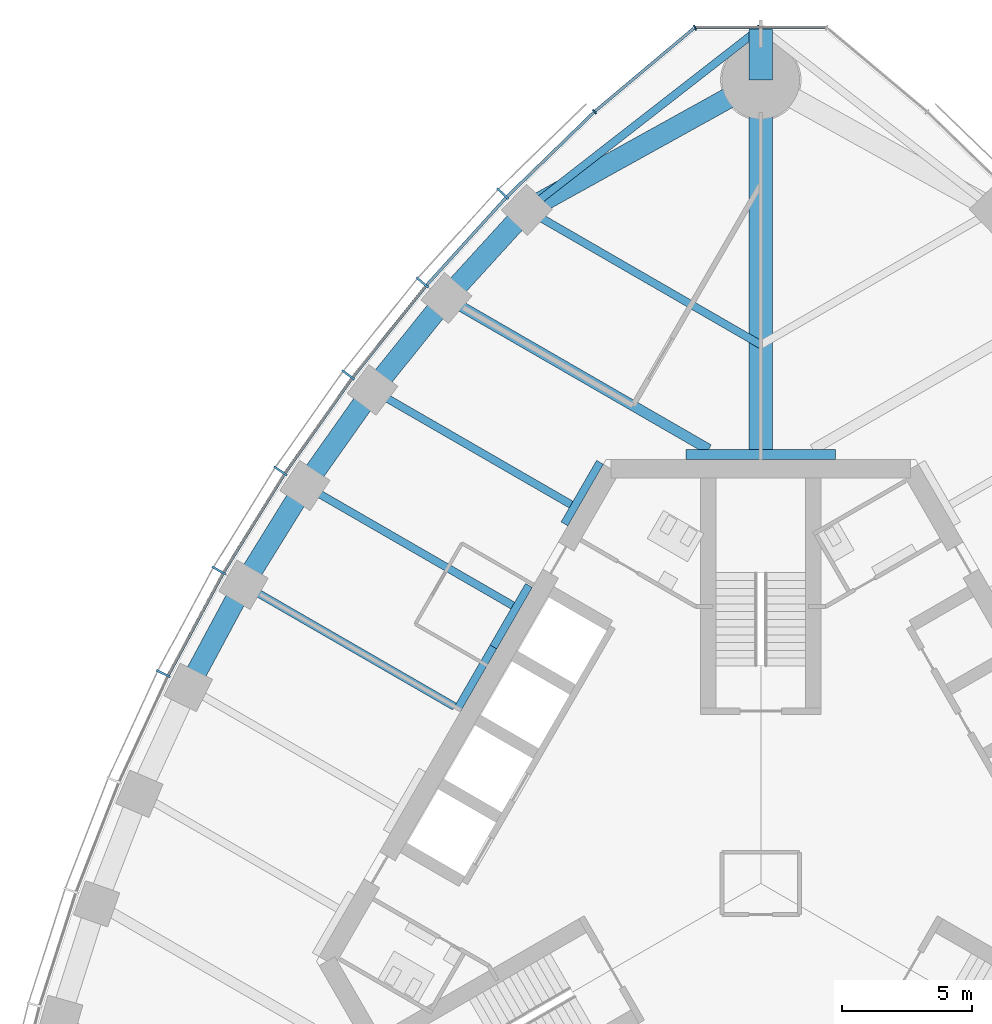
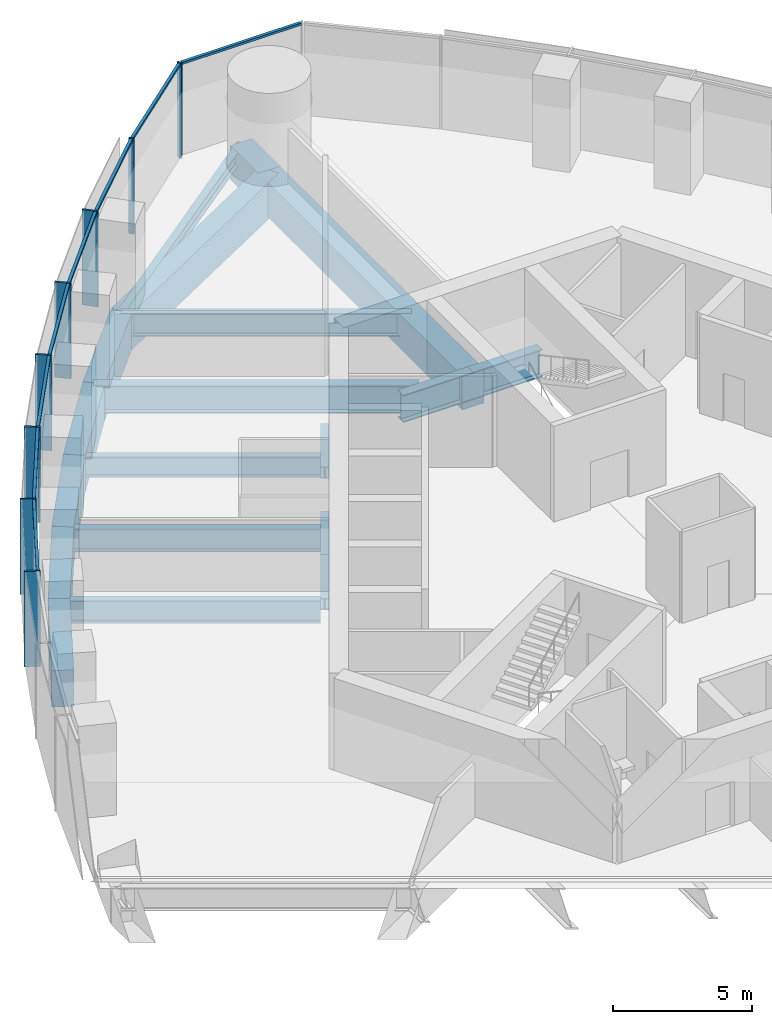
# One storey, part 5 of 15: 19 beams, 16 members, 2 elements without a shape of their own.
"""IFC4 building model written with IfcOpenShell, lengths in metres."""

from ifc_helpers import new_model, si_unit, direction, frame, origin, origin_2d, place, context, subcontext, project, spatial, rectangle, i_section, extrude, material, material_profile, profile_set, type_object, element, aggregate, save


model = new_model("IFC4")

# Units and contexts
model_context = context("Model", 3, precision=1e-05, world=origin(), true_north=direction((0.0, 1.0)))
body_context = subcontext(model_context, "Body", "Model", "MODEL_VIEW")
ifc_project = project(units=[si_unit("LENGTHUNIT", "METRE"), si_unit("AREAUNIT", "SQUARE_METRE"), si_unit("VOLUMEUNIT", "CUBIC_METRE"), si_unit("PLANEANGLEUNIT", "RADIAN"), si_unit("MASSUNIT", "GRAM", prefix="KILO")], contexts=[model_context])

# Site, building, storey
site_placement = place(None, origin())
site = spatial("IfcSite", under=ifc_project, at=site_placement, CompositionType="ELEMENT")
building_placement = place(site_placement, origin())
building = spatial("IfcBuilding", under=site, at=building_placement, Name="Trefoil Bronze Tower", CompositionType="ELEMENT")
storey_placement = place(building_placement, frame((0.0, 0.0, 288.89990234375)))
storey = spatial("IfcBuildingStorey", under=building, at=storey_placement, Name="L66", CompositionType="ELEMENT", Elevation=288.89990234375)

# Curtain wall, members
ifc_material_1 = material(Name="Tinted solar-control glass", Category="glass")
curtain_wall_type_1 = type_object("IfcCurtainWallType", Name="Bronze office curtain wall", PredefinedType="USERDEFINED", material=ifc_material_1)
curtain_wall_1_placement = place(storey_placement, origin())
curtain_wall_1 = element("IfcCurtainWall", 1, at=curtain_wall_1_placement, inside=storey, type_object=curtain_wall_type_1, Name="CW-A L66 F3", ObjectType="CURTAIN WALL", PredefinedType="USERDEFINED")
ifc_material_2 = material(Name="Bronze-finish aluminium", Category="aluminium")
ifc_material_profile_1 = material_profile(ifc_material_2, rectangle(XDim=0.60009765625, YDim=0.080078125, at=origin_2d()), Name="CW-A mullion")
ifc_profile_set_1 = profile_set([ifc_material_profile_1], Name="Bronze-finish aluminium")
member_type_1 = type_object("IfcMemberType", Name="Bronze office curtain wall mullion", PredefinedType="MULLION", material=ifc_profile_set_1)
member_1_placement = place(storey_placement, frame((-9.957275390625, 26.617431640625, 0.0), z_axis=(0.0, 0.0, 1.0), x_axis=(0.719001349715, -0.695008675564, 0.0)))
member_1 = element("IfcMember", 2, at=member_1_placement, type_object=member_type_1, Name="CW-A L66 F3 mullion 2", PredefinedType="MULLION", context=body_context, shape_type="SweptSolid", body=[
    extrude(rectangle(XDim=0.60009765625, YDim=0.080078125, at=origin_2d()), origin(), (0.0, 0.0, 1.0), 4.18017578125),
])
member_2_placement = place(storey_placement, frame((-13.064453125, 23.194091796875, 0.0), z_axis=(0.0, 0.0, 1.0), x_axis=(0.760781190165, -0.649008459646, 0.0)))
member_2 = element("IfcMember", 3, at=member_2_placement, type_object=member_type_1, Name="CW-A L66 F3 mullion 3", PredefinedType="MULLION", context=body_context, shape_type="SweptSolid", body=[
    extrude(rectangle(XDim=0.60009765625, YDim=0.080078125, at=origin_2d()), origin(), (0.0, 0.0, 1.0), 4.18017578125),
])
member_3_placement = place(storey_placement, frame((-15.922607421875, 19.627197265625, 0.0), z_axis=(0.0, 0.0, 1.0), x_axis=(0.799096076136, -0.601203344222, 0.0)))
member_3 = element("IfcMember", 4, at=member_3_placement, type_object=member_type_1, Name="CW-A L66 F3 mullion 4", PredefinedType="MULLION", context=body_context, shape_type="SweptSolid", body=[
    extrude(rectangle(XDim=0.60009765625, YDim=0.080078125, at=origin_2d()), origin(), (0.0, 0.0, 1.0), 4.18017578125),
])
member_4_placement = place(storey_placement, frame((-18.538330078125, 15.920166015625, 0.0), z_axis=(0.0, 0.0, 1.0), x_axis=(0.834159158089, -0.551523797289, 0.0)))
member_4 = element("IfcMember", 5, at=member_4_placement, type_object=member_type_1, Name="CW-A L66 F3 mullion 5", PredefinedType="MULLION", context=body_context, shape_type="SweptSolid", body=[
    extrude(rectangle(XDim=0.60009765625, YDim=0.080078125, at=origin_2d()), origin(), (0.0, 0.0, 1.0), 4.18017578125),
])
member_5_placement = place(storey_placement, frame((-20.916015625, 12.07568359375, 0.0), z_axis=(0.0, 0.0, 1.0), x_axis=(0.866025403784, -0.5, 0.0)))
member_5 = element("IfcMember", 6, at=member_5_placement, type_object=member_type_1, Name="CW-A L66 F3 mullion 6", PredefinedType="MULLION", context=body_context, shape_type="SweptSolid", body=[
    extrude(rectangle(XDim=0.60009765625, YDim=0.080078125, at=origin_2d()), origin(), (0.0, 0.0, 1.0), 4.18017578125),
])
member_6_placement = place(storey_placement, frame((-23.056396484375, 8.094482421875, 0.0), z_axis=(0.0, 0.0, 1.0), x_axis=(0.894713198289, -0.44664112306, 0.0)))
member_6 = element("IfcMember", 7, at=member_6_placement, type_object=member_type_1, Name="CW-A L66 F3 mullion 7", PredefinedType="MULLION", context=body_context, shape_type="SweptSolid", body=[
    extrude(rectangle(XDim=0.60009765625, YDim=0.080078125, at=origin_2d()), origin(), (0.0, 0.0, 1.0), 4.18017578125),
])
ifc_material_3 = material(Name="Bronze-finish aluminium", Category="aluminium")
ifc_material_profile_2 = material_profile(ifc_material_3, rectangle(XDim=0.1201171875, YDim=0.10009765625, at=origin_2d()), Name="CW-A transom")
ifc_profile_set_2 = profile_set([ifc_material_profile_2], Name="Bronze-finish aluminium")
member_type_2 = type_object("IfcMemberType", Name="Bronze office curtain wall transom", PredefinedType="USERDEFINED", material=ifc_profile_set_2)
member_7_placement = place(storey_placement, frame((-6.44921875, 29.7470703125, 4.130126953125), z_axis=(-0.717224617883, -0.696842053484, 0.0), x_axis=(0.696842053484, -0.717224617883, 0.0)))
member_7 = element("IfcMember", 8, at=member_7_placement, type_object=member_type_2, Name="CW-A L66 F3 transom 1", ObjectType="TRANSOM", PredefinedType="USERDEFINED", context=body_context, shape_type="SweptSolid", body=[
    extrude(rectangle(XDim=0.1201171875, YDim=0.10009765625, at=origin_2d()), origin(), (0.0, 0.0, 1.0), 4.6474609375),
])
member_8_placement = place(storey_placement, frame((-9.842529296875, 26.446533203125, 4.130126953125), z_axis=(-0.672068269674, -0.740489190264, 0.0), x_axis=(0.740489190264, -0.672068269674, 0.0)))
member_8 = element("IfcMember", 9, at=member_8_placement, type_object=member_type_2, Name="CW-A L66 F3 transom 2", ObjectType="TRANSOM", PredefinedType="USERDEFINED", context=body_context, shape_type="SweptSolid", body=[
    extrude(rectangle(XDim=0.1201171875, YDim=0.10009765625, at=origin_2d()), origin(), (0.0, 0.0, 1.0), 4.5244140625),
])
member_9_placement = place(storey_placement, frame((-12.939208984375, 23.03076171875, 4.130126953125), z_axis=(-0.625300648488, -0.780383943325, 0.0), x_axis=(0.780383943325, -0.625300648488, 0.0)))
member_9 = element("IfcMember", 10, at=member_9_placement, type_object=member_type_2, Name="CW-A L66 F3 transom 3", ObjectType="TRANSOM", PredefinedType="USERDEFINED", context=body_context, shape_type="SweptSolid", body=[
    extrude(rectangle(XDim=0.1201171875, YDim=0.10009765625, at=origin_2d()), origin(), (0.0, 0.0, 1.0), 4.472412109375),
])
member_10_placement = place(storey_placement, frame((-15.78759765625, 19.4716796875, 4.130126953125), z_axis=(-0.5765665752, -0.817050172488, 0.0), x_axis=(0.817050172488, -0.5765665752, 0.0)))
member_10 = element("IfcMember", 11, at=member_10_placement, type_object=member_type_2, Name="CW-A L66 F3 transom 4", ObjectType="TRANSOM", PredefinedType="USERDEFINED", context=body_context, shape_type="SweptSolid", body=[
    extrude(rectangle(XDim=0.1201171875, YDim=0.10009765625, at=origin_2d()), origin(), (0.0, 0.0, 1.0), 4.4384765625),
])
member_11_placement = place(storey_placement, frame((-18.394287109375, 15.7734375, 4.130126953125), z_axis=(-0.525978235299, -0.850498028212, 0.0), x_axis=(0.850498028212, -0.525978235299, 0.0)))
member_11 = element("IfcMember", 12, at=member_11_placement, type_object=member_type_2, Name="CW-A L66 F3 transom 5", ObjectType="TRANSOM", PredefinedType="USERDEFINED", context=body_context, shape_type="SweptSolid", body=[
    extrude(rectangle(XDim=0.1201171875, YDim=0.10009765625, at=origin_2d()), origin(), (0.0, 0.0, 1.0), 4.422119140625),
])
member_12_placement = place(storey_placement, frame((-20.76318359375, 11.93798828125, 4.130126953125), z_axis=(-0.473540024981, -0.880772300167, 0.0), x_axis=(0.880772300167, -0.473540024981, 0.0)))
member_12 = element("IfcMember", 13, at=member_12_placement, type_object=member_type_2, Name="CW-A L66 F3 transom 6", ObjectType="TRANSOM", PredefinedType="USERDEFINED", context=body_context, shape_type="SweptSolid", body=[
    extrude(rectangle(XDim=0.1201171875, YDim=0.10009765625, at=origin_2d()), origin(), (0.0, 0.0, 1.0), 4.422119140625),
])
aggregate(curtain_wall_1, [member_1, member_2, member_3, member_4, member_5, member_6, member_7, member_8, member_9, member_10, member_11, member_12])

ifc_material_4 = material(Name="Tinted solar-control glass", Category="glass")
curtain_wall_type_2 = type_object("IfcCurtainWallType", Name="Bronze rounded corner curtain wall", PredefinedType="USERDEFINED", material=ifc_material_4)
curtain_wall_2_placement = place(storey_placement, origin())
curtain_wall_2 = element("IfcCurtainWall", 14, at=curtain_wall_2_placement, inside=storey, type_object=curtain_wall_type_2, Name="CW-B L66 K2", ObjectType="CURTAIN WALL", PredefinedType="USERDEFINED")
ifc_material_5 = material(Name="Bronze-finish aluminium", Category="aluminium")
ifc_material_profile_3 = material_profile(ifc_material_5, rectangle(XDim=0.199951171875, YDim=0.06005859375, at=origin_2d()), Name="CW-B mullion")
ifc_profile_set_3 = profile_set([ifc_material_profile_3], Name="Bronze-finish aluminium")
member_type_3 = type_object("IfcMemberType", Name="Bronze rounded corner curtain wall mullion", PredefinedType="MULLION", material=ifc_profile_set_3)
member_13_placement = place(storey_placement, frame((-2.542236328125, 33.021484375, 0.0), z_axis=(0.0, 0.0, 1.0), x_axis=(0.342020143326, -0.939692620786, 0.0)))
member_13 = element("IfcMember", 15, at=member_13_placement, type_object=member_type_3, Name="CW-B L66 K2 mullion 3", PredefinedType="MULLION", context=body_context, shape_type="SweptSolid", body=[
    extrude(rectangle(XDim=0.199951171875, YDim=0.06005859375, at=origin_2d()), origin(), (0.0, 0.0, 1.0), 4.18017578125),
])
member_14_placement = place(storey_placement, frame((-6.4150390625, 29.77978515625, 0.0), z_axis=(0.0, 0.0, 1.0), x_axis=(0.642787609687, -0.766044443119, 0.0)))
member_14 = element("IfcMember", 16, at=member_14_placement, type_object=member_type_3, Name="CW-B L66 K2 mullion 4", PredefinedType="MULLION", context=body_context, shape_type="SweptSolid", body=[
    extrude(rectangle(XDim=0.199951171875, YDim=0.06005859375, at=origin_2d()), origin(), (0.0, 0.0, 1.0), 4.18017578125),
])
ifc_material_6 = material(Name="Bronze-finish aluminium", Category="aluminium")
ifc_material_profile_4 = material_profile(ifc_material_6, rectangle(XDim=0.1201171875, YDim=0.10009765625, at=origin_2d()), Name="CW-B transom")
ifc_profile_set_4 = profile_set([ifc_material_profile_4], Name="Bronze-finish aluminium")
member_type_4 = type_object("IfcMemberType", Name="Bronze rounded corner curtain wall transom", PredefinedType="USERDEFINED", material=ifc_profile_set_4)
member_15_placement = place(storey_placement, frame((2.47802734375, 33.027587890625, 4.130126953125), z_axis=(-1.0, 0.0, 0.0), x_axis=(0.0, -1.0, 0.0)))
member_15 = element("IfcMember", 17, at=member_15_placement, type_object=member_type_4, Name="CW-B L66 K2 transom 2", ObjectType="TRANSOM", PredefinedType="USERDEFINED", context=body_context, shape_type="SweptSolid", body=[
    extrude(rectangle(XDim=0.1201171875, YDim=0.10009765625, at=origin_2d()), origin(), (0.0, 0.0, 1.0), 4.9560546875),
])
member_16_placement = place(storey_placement, frame((-2.595458984375, 32.98486328125, 4.130126953125), z_axis=(-0.766040522511, -0.642792282056, 0.0), x_axis=(0.642792282056, -0.766040522511, 0.0)))
member_16 = element("IfcMember", 18, at=member_16_placement, type_object=member_type_4, Name="CW-B L66 K2 transom 3", ObjectType="TRANSOM", PredefinedType="USERDEFINED", context=body_context, shape_type="SweptSolid", body=[
    extrude(rectangle(XDim=0.1201171875, YDim=0.10009765625, at=origin_2d()), origin(), (0.0, 0.0, 1.0), 4.9560546875),
])
aggregate(curtain_wall_2, [member_13, member_14, member_15, member_16])

# Beams
ifc_material_7 = material(Name="Steel C355", Category="steel")
ifc_material_profile_5 = material_profile(ifc_material_7, i_section(OverallWidth=0.300048828125, OverallDepth=0.5, WebThickness=0.014404296875, FlangeThickness=0.028076171875, FilletRadius=0.027099609375, at=origin_2d()), Name="HEB 500")
ifc_profile_set_5 = profile_set([ifc_material_profile_5], Name="Steel C355")
beam_type_1 = type_object("IfcBeamType", Name="Core seat beam HEB 500", PredefinedType="BEAM", material=ifc_profile_set_5)
for number, where, z_axis, x_axis, name in (
    (19, (-6.20654296875, 16.25, -0.449951171875), (-0.499969057507, -0.866043267704, 0.0), (0.866043267704, -0.499969057507, 0.0), "Core seat beam F3/-2 L66"),
    (20, (-8.948974609375, 11.5, -0.449951171875), (-0.499969057507, -0.866043267704, 0.0), (0.866043267704, -0.499969057507, 0.0), "Core seat beam F3/-1 L66"),
    (21, (-10.320068359375, 9.125, -0.449951171875), (-0.500035825175, -0.866004719122, 0.0), (0.866004719122, -0.500035825175, 0.0), "Core seat beam F3/+0 L66"),
):
    element("IfcBeam", number, at=place(storey_placement, frame(where, z_axis=z_axis, x_axis=x_axis)), inside=storey, type_object=beam_type_1, Name=name, PredefinedType="BEAM", context=body_context, shape_type="SweptSolid", body=[
        extrude(i_section(OverallWidth=0.300048828125, OverallDepth=0.5, WebThickness=0.014404296875, FlangeThickness=0.028076171875, FilletRadius=0.027099609375, at=origin_2d()), origin(), (0.0, 0.0, 1.0), 2.742431640625),
    ])
ifc_material_8 = material(Name="Steel C355", Category="steel")
ifc_material_profile_6 = material_profile(ifc_material_8, i_section(OverallWidth=0.39990234375, OverallDepth=1.199951171875, WebThickness=0.02001953125, FlangeThickness=0.0400390625, FilletRadius=0.010009765625, at=origin_2d()), Name="WPG 1200")
ifc_profile_set_6 = profile_set([ifc_material_profile_6], Name="Steel C355")
beam_type_2 = type_object("IfcBeamType", Name="Core seat beam WPG 1200", PredefinedType="BEAM", material=ifc_profile_set_6)
for number, where, z_axis, x_axis, name in (
    (22, (2.88671875, 16.550048828125, -0.7998046875), (-1.0, 0.0, 0.0), (0.0, -1.0, 0.0), "Core seat beam F2/+3 L66"),
    (23, (0.0, 16.550048828125, -0.7998046875), (-1.0, 0.0, 0.0), (0.0, -1.0, 0.0), "Core seat beam F3/-3 L66"),
):
    element("IfcBeam", number, at=place(storey_placement, frame(where, z_axis=z_axis, x_axis=x_axis)), inside=storey, type_object=beam_type_2, Name=name, PredefinedType="BEAM", context=body_context, shape_type="SweptSolid", body=[
        extrude(i_section(OverallWidth=0.39990234375, OverallDepth=1.199951171875, WebThickness=0.02001953125, FlangeThickness=0.0400390625, FilletRadius=0.010009765625, at=origin_2d()), origin(), (0.0, 0.0, 1.0), 2.88671875),
    ])
ifc_material_9 = material(Name="Concrete B80", Category="concrete")
ifc_material_profile_7 = material_profile(ifc_material_9, rectangle(XDim=0.89990234375, YDim=1.5, at=origin_2d()), Name="RC 900x1500")
ifc_profile_set_7 = profile_set([ifc_material_profile_7], Name="Concrete B80")
beam_type_3 = type_object("IfcBeamType", Name="Corner cantilever RC 900x1500", PredefinedType="BEAM", material=ifc_profile_set_7)
beam_1_placement = place(storey_placement, frame((0.0, 31.0, -0.949951171875), z_axis=(0.0, 1.0, 0.0), x_axis=(-1.0, 0.0, 0.0)))
element("IfcBeam", 24, at=beam_1_placement, inside=storey, type_object=beam_type_3, Name="Corner cantilever K2 L66", PredefinedType="BEAM", context=body_context, shape_type="SweptSolid", body=[
    extrude(rectangle(XDim=0.89990234375, YDim=1.5, at=origin_2d()), origin(), (0.0, 0.0, 1.0), 2.019775390625),
])
ifc_material_10 = material(Name="Steel C355", Category="steel")
ifc_material_profile_8 = material_profile(ifc_material_10, i_section(OverallWidth=0.300048828125, OverallDepth=0.60009765625, WebThickness=0.015380859375, FlangeThickness=0.030029296875, FilletRadius=0.027099609375, at=origin_2d()), Name="HEB 600")
ifc_profile_set_8 = profile_set([ifc_material_profile_8], Name="Steel C355")
beam_type_4 = type_object("IfcBeamType", Name="Corner edge beam HEB 600", PredefinedType="BEAM", material=ifc_profile_set_8)
beam_2_placement = place(storey_placement, frame((-9.02734375, 25.99658203125, -0.5), z_axis=(0.789270604977, 0.614045529354, 0.0), x_axis=(-0.614045529354, 0.789270604977, 0.0)))
element("IfcBeam", 25, at=beam_2_placement, inside=storey, type_object=beam_type_4, Name="Corner edge beam F3B L66", PredefinedType="BEAM", context=body_context, shape_type="SweptSolid", body=[
    extrude(i_section(OverallWidth=0.300048828125, OverallDepth=0.60009765625, WebThickness=0.015380859375, FlangeThickness=0.030029296875, FilletRadius=0.027099609375, at=origin_2d()), origin(), (0.0, 0.0, 1.0), 11.4375),
])
ifc_material_11 = material(Name="Concrete B80", Category="concrete")
ifc_material_profile_9 = material_profile(ifc_material_11, rectangle(XDim=0.89990234375, YDim=1.5, at=origin_2d()), Name="RC 900x1500")
ifc_profile_set_9 = profile_set([ifc_material_profile_9], Name="Concrete B80")
beam_type_5 = type_object("IfcBeamType", Name="Corner girder RC 900x1500", PredefinedType="BEAM", material=ifc_profile_set_9)
beam_3_placement = place(storey_placement, frame((0.0, 16.35009765625, -0.949951171875), z_axis=(0.0, 1.0, 0.0), x_axis=(-1.0, 0.0, 0.0)))
element("IfcBeam", 26, at=beam_3_placement, inside=storey, type_object=beam_type_5, Name="Corner girder K2 L66", PredefinedType="BEAM", context=body_context, shape_type="SweptSolid", body=[
    extrude(rectangle(XDim=0.89990234375, YDim=1.5, at=origin_2d()), origin(), (0.0, 0.0, 1.0), 14.64990234375),
])
ifc_material_12 = material(Name="Concrete B80", Category="concrete")
ifc_material_profile_10 = material_profile(ifc_material_12, rectangle(XDim=0.800048828125, YDim=1.60009765625, at=origin_2d()), Name="RC 800x1600")
ifc_profile_set_10 = profile_set([ifc_material_profile_10], Name="Concrete B80")
beam_type_6 = type_object("IfcBeamType", Name="End spandrel beam RC 800x1600", PredefinedType="SPANDREL", material=ifc_profile_set_10)
beam_4_placement = place(storey_placement, frame((0.0, 31.0, -1.0), z_axis=(-0.874641085074, -0.484771051426, 0.0), x_axis=(0.484771051426, -0.874641085074, 0.0)))
element("IfcBeam", 27, at=beam_4_placement, inside=storey, type_object=beam_type_6, Name="Spandrel F3.1 L66", PredefinedType="SPANDREL", context=body_context, shape_type="SweptSolid", body=[
    extrude(rectangle(XDim=0.800048828125, YDim=1.60009765625, at=origin_2d()), origin(), (0.0, 0.0, 1.0), 10.3212890625),
])
ifc_material_13 = material(Name="Steel C355", Category="steel")
ifc_material_profile_11 = material_profile(ifc_material_13, i_section(OverallWidth=0.300048828125, OverallDepth=1.0, WebThickness=0.01904296875, FlangeThickness=0.035888671875, FilletRadius=0.030029296875, at=origin_2d()), Name="HEB 1000")
ifc_profile_set_11 = profile_set([ifc_material_profile_11], Name="Steel C355")
beam_type_7 = type_object("IfcBeamType", Name="Floor beam HEB 1000", PredefinedType="BEAM", material=ifc_profile_set_11)
beam_5_placement = place(storey_placement, frame((-17.593994140625, 15.35400390625, -0.699951171875), z_axis=(0.866028909405, -0.499993928037, 0.0), x_axis=(0.499993928037, 0.866028909405, 0.0)))
element("IfcBeam", 28, at=beam_5_placement, inside=storey, type_object=beam_type_7, Name="Floor beam F3/-1 L66", PredefinedType="BEAM", context=body_context, shape_type="SweptSolid", body=[
    extrude(i_section(OverallWidth=0.300048828125, OverallDepth=1.0, WebThickness=0.01904296875, FlangeThickness=0.035888671875, FilletRadius=0.030029296875, at=origin_2d()), origin(), (0.0, 0.0, 1.0), 9.263671875),
])
beam_6_placement = place(storey_placement, frame((-19.96337890625, 11.52587890625, -0.699951171875), z_axis=(0.866021259968, -0.500007177232, 0.0), x_axis=(0.500007177232, 0.866021259968, 0.0)))
element("IfcBeam", 29, at=beam_6_placement, inside=storey, type_object=beam_type_7, Name="Floor beam F3/+0 L66", PredefinedType="BEAM", context=body_context, shape_type="SweptSolid", body=[
    extrude(i_section(OverallWidth=0.300048828125, OverallDepth=1.0, WebThickness=0.01904296875, FlangeThickness=0.035888671875, FilletRadius=0.030029296875, at=origin_2d()), origin(), (0.0, 0.0, 1.0), 9.401611328125),
])
ifc_material_14 = material(Name="Steel C355", Category="steel")
ifc_material_profile_12 = material_profile(ifc_material_14, i_section(OverallWidth=0.300048828125, OverallDepth=0.89990234375, WebThickness=0.0185546875, FlangeThickness=0.034912109375, FilletRadius=0.030029296875, at=origin_2d()), Name="HEB 900")
ifc_profile_set_12 = profile_set([ifc_material_profile_12], Name="Steel C355")
beam_type_8 = type_object("IfcBeamType", Name="Floor beam HEB 900", PredefinedType="BEAM", material=ifc_profile_set_12)
beam_7_placement = place(storey_placement, frame((-14.98486328125, 19.043701171875, -0.64990234375), z_axis=(0.866025701847, -0.499999483739, 0.0), x_axis=(0.499999483739, 0.866025701847, 0.0)))
element("IfcBeam", 30, at=beam_7_placement, inside=storey, type_object=beam_type_8, Name="Floor beam F3/-2 L66", PredefinedType="BEAM", context=body_context, shape_type="SweptSolid", body=[
    extrude(i_section(OverallWidth=0.300048828125, OverallDepth=0.89990234375, WebThickness=0.0185546875, FlangeThickness=0.034912109375, FilletRadius=0.030029296875, at=origin_2d()), origin(), (0.0, 0.0, 1.0), 8.84912109375),
])
ifc_material_15 = material(Name="Steel C355", Category="steel")
ifc_material_profile_13 = material_profile(ifc_material_15, i_section(OverallWidth=0.302001953125, OverallDepth=1.008056640625, WebThickness=0.02099609375, FlangeThickness=0.0400390625, FilletRadius=0.030029296875, at=origin_2d()), Name="HEM 1000")
ifc_profile_set_13 = profile_set([ifc_material_profile_13], Name="Steel C355")
beam_type_9 = type_object("IfcBeamType", Name="Floor beam HEM 1000", PredefinedType="BEAM", material=ifc_profile_set_13)
beam_8_placement = place(storey_placement, frame((-9.02734375, 25.99658203125, -0.703857421875), z_axis=(0.866026453994, -0.499998180979, 0.0), x_axis=(0.499998180979, 0.866026453994, 0.0)))
element("IfcBeam", 31, at=beam_8_placement, inside=storey, type_object=beam_type_9, Name="Floor beam F3/-4 L66", PredefinedType="BEAM", context=body_context, shape_type="SweptSolid", body=[
    extrude(i_section(OverallWidth=0.302001953125, OverallDepth=1.008056640625, WebThickness=0.02099609375, FlangeThickness=0.0400390625, FilletRadius=0.030029296875, at=origin_2d()), origin(), (0.0, 0.0, 1.0), 10.423828125),
])
ifc_material_16 = material(Name="Steel C355", Category="steel")
ifc_material_profile_14 = material_profile(ifc_material_16, i_section(OverallWidth=0.39990234375, OverallDepth=1.199951171875, WebThickness=0.02001953125, FlangeThickness=0.0400390625, FilletRadius=0.010009765625, at=origin_2d()), Name="WPG 1200")
ifc_profile_set_14 = profile_set([ifc_material_profile_14], Name="Steel C355")
beam_type_10 = type_object("IfcBeamType", Name="Floor beam WPG 1200", PredefinedType="BEAM", material=ifc_profile_set_14)
beam_9_placement = place(storey_placement, frame((-12.131591796875, 22.5927734375, -0.7998046875), z_axis=(0.866017882563, -0.500013026912, 0.0), x_axis=(0.500013026912, 0.866017882563, 0.0)))
element("IfcBeam", 32, at=beam_9_placement, inside=storey, type_object=beam_type_10, Name="Floor beam F3/-3 L66", PredefinedType="BEAM", context=body_context, shape_type="SweptSolid", body=[
    extrude(i_section(OverallWidth=0.39990234375, OverallDepth=1.199951171875, WebThickness=0.02001953125, FlangeThickness=0.0400390625, FilletRadius=0.010009765625, at=origin_2d()), origin(), (0.0, 0.0, 1.0), 11.685302734375),
])
ifc_material_17 = material(Name="Concrete B80", Category="concrete")
ifc_material_profile_15 = material_profile(ifc_material_17, rectangle(XDim=0.800048828125, YDim=1.60009765625, at=origin_2d()), Name="RC 800x1600")
ifc_profile_set_15 = profile_set([ifc_material_profile_15], Name="Concrete B80")
beam_type_11 = type_object("IfcBeamType", Name="Spandrel beam RC 800x1600", PredefinedType="SPANDREL", material=ifc_profile_set_15)
beam_10_placement = place(storey_placement, frame((-9.02734375, 25.99658203125, -1.0), z_axis=(-0.673845775847, -0.738872025707, 0.0), x_axis=(0.738872025707, -0.673845775847, 0.0)))
element("IfcBeam", 33, at=beam_10_placement, inside=storey, type_object=beam_type_11, Name="Spandrel F3.2 L66", PredefinedType="SPANDREL", context=body_context, shape_type="SweptSolid", body=[
    extrude(rectangle(XDim=0.800048828125, YDim=1.60009765625, at=origin_2d()), origin(), (0.0, 0.0, 1.0), 4.606689453125),
])
beam_11_placement = place(storey_placement, frame((-12.131591796875, 22.5927734375, -1.0), z_axis=(-0.626569682592, -0.779365403939, 0.0), x_axis=(0.779365403939, -0.626569682592, 0.0)))
element("IfcBeam", 34, at=beam_11_placement, inside=storey, type_object=beam_type_11, Name="Spandrel F3.3 L66", PredefinedType="SPANDREL", context=body_context, shape_type="SweptSolid", body=[
    extrude(rectangle(XDim=0.800048828125, YDim=1.60009765625, at=origin_2d()), origin(), (0.0, 0.0, 1.0), 4.5537109375),
])
beam_12_placement = place(storey_placement, frame((-14.98486328125, 19.043701171875, -1.0), z_axis=(-0.577368105169, -0.816483968693, 0.0), x_axis=(0.816483968693, -0.577368105169, 0.0)))
element("IfcBeam", 35, at=beam_12_placement, inside=storey, type_object=beam_type_11, Name="Spandrel F3.4 L66", PredefinedType="SPANDREL", context=body_context, shape_type="SweptSolid", body=[
    extrude(rectangle(XDim=0.800048828125, YDim=1.60009765625, at=origin_2d()), origin(), (0.0, 0.0, 1.0), 4.51904296875),
])
beam_13_placement = place(storey_placement, frame((-17.593994140625, 15.35400390625, -1.0), z_axis=(-0.526289271956, -0.850305593433, 0.0), x_axis=(0.850305593433, -0.526289271956, 0.0)))
element("IfcBeam", 36, at=beam_13_placement, inside=storey, type_object=beam_type_11, Name="Spandrel F3.5 L66", PredefinedType="SPANDREL", context=body_context, shape_type="SweptSolid", body=[
    extrude(rectangle(XDim=0.800048828125, YDim=1.60009765625, at=origin_2d()), origin(), (0.0, 0.0, 1.0), 4.501953125),
])
beam_14_placement = place(storey_placement, frame((-19.96337890625, 11.52587890625, -1.0), z_axis=(-0.473245885676, -0.880930378458, 0.0), x_axis=(0.880930378458, -0.473245885676, 0.0)))
element("IfcBeam", 37, at=beam_14_placement, inside=storey, type_object=beam_type_11, Name="Spandrel F3.6 L66", PredefinedType="SPANDREL", context=body_context, shape_type="SweptSolid", body=[
    extrude(rectangle(XDim=0.800048828125, YDim=1.60009765625, at=origin_2d()), origin(), (0.0, 0.0, 1.0), 4.502197265625),
])

save(model, "model.ifc")
